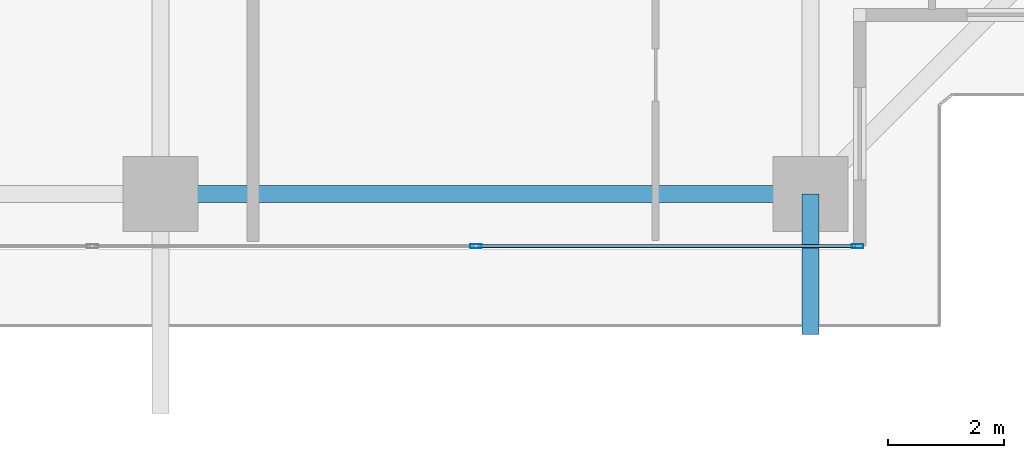
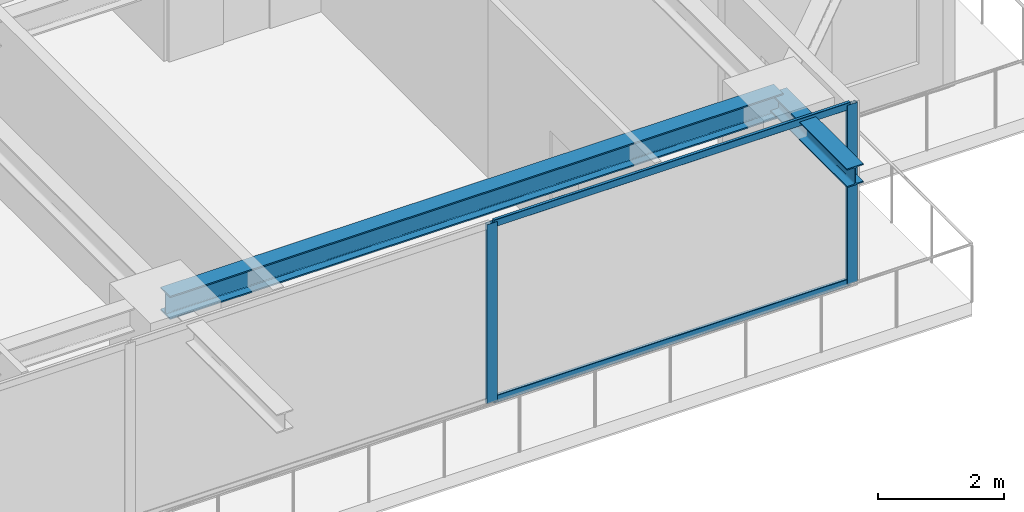
# One storey, part 12 of 38: 4 members, 2 beams, 1 element without a shape of its own.
"""IFC4 building model written with IfcOpenShell, lengths in metres."""

from ifc_helpers import new_model, si_unit, direction, frame, origin, origin_2d, place, context, subcontext, project, spatial, hollow_rectangle, i_section, extrude, source, transform, mapped, material, layer, layer_set, material_profile, profile_set, type_object, element, aggregate, save


model = new_model("IFC4")

# Units and contexts
model_context = context("Model", 3, precision=1e-05, world=origin(), true_north=direction((0.0, 1.0)))
body_context = subcontext(model_context, "Body", "Model", "MODEL_VIEW")
ifc_project = project(units=[si_unit("LENGTHUNIT", "METRE"), si_unit("AREAUNIT", "SQUARE_METRE"), si_unit("VOLUMEUNIT", "CUBIC_METRE"), si_unit("PLANEANGLEUNIT", "RADIAN"), si_unit("MASSUNIT", "GRAM", prefix="KILO")], contexts=[model_context])

# Site, building, storey
site_placement = place(None, origin())
site = spatial("IfcSite", under=ifc_project, at=site_placement, CompositionType="ELEMENT")
building_placement = place(site_placement, origin())
building = spatial("IfcBuilding", under=site, at=building_placement, Name="Serunith Strait Residences", CompositionType="ELEMENT")
storey_placement = place(building_placement, frame((0.0, 0.0, 183.89990234375)))
storey = spatial("IfcBuildingStorey", under=building, at=storey_placement, Name="L46", CompositionType="ELEMENT", Elevation=183.89990234375)

# Beams
ifc_material_1 = material(Name="Steel S355J2", Category="steel")
ifc_material_profile_1 = material_profile(ifc_material_1, i_section(OverallWidth=0.300048828125, OverallDepth=0.449951171875, WebThickness=0.013916015625, FlangeThickness=0.02587890625, FilletRadius=0.027099609375, at=origin_2d()), Name="HEB 450")
ifc_profile_set_1 = profile_set([ifc_material_profile_1], Name="Steel S355J2")
beam_type_1 = type_object("IfcBeamType", Name="BM-HEB450", PredefinedType="BEAM", material=ifc_profile_set_1)
shared_shape_1 = source(origin(), body_context, "Body", "SweptSolid", [
    extrude(i_section(OverallWidth=0.300048828125, OverallDepth=0.449951171875, WebThickness=0.013916015625, FlangeThickness=0.02587890625, FilletRadius=0.027099609375, at=origin_2d()), origin(), (0.0, 0.0, 1.0), 11.25),
])
beam_1_placement = place(storey_placement, frame((36.89990234375, 2.300048828125, 3.26220703125), z_axis=(1.0, 0.0, 0.0), x_axis=(0.0, 1.0, 0.0)))
element("IfcBeam", 1, at=beam_1_placement, inside=storey, type_object=beam_type_1, Name="L46 Perimeter Ring Beam 03", PredefinedType="BEAM", context=body_context, shape_type="MappedRepresentation", body=[
    mapped(shared_shape_1, transform((0.0, 0.0, 0.0), scale=1.0)),
])
ifc_material_profile_2 = material_profile(ifc_material_1, i_section(OverallWidth=0.300048828125, OverallDepth=0.360107421875, WebThickness=0.012451171875, FlangeThickness=0.0224609375, FilletRadius=0.027099609375, at=origin_2d()), Name="HEB 360")
ifc_profile_set_2 = profile_set([ifc_material_profile_2], Name="Steel S355J2")
beam_type_2 = type_object("IfcBeamType", Name="BM-HEB360", PredefinedType="BEAM", material=ifc_profile_set_2)
shared_shape_2 = source(origin(), body_context, "Body", "SweptSolid", [
    extrude(i_section(OverallWidth=0.300048828125, OverallDepth=0.360107421875, WebThickness=0.012451171875, FlangeThickness=0.0224609375, FilletRadius=0.027099609375, at=origin_2d()), origin(), (0.0, 0.0, 1.0), 2.434814453125),
])
beam_2_placement = place(storey_placement, frame((48.14990234375, 2.300048828125, 3.277099609375), z_axis=(0.0, -1.0, 0.0), x_axis=(1.0, 0.0, 0.0)))
element("IfcBeam", 2, at=beam_2_placement, inside=storey, type_object=beam_type_2, Name="L47 Cantilevered Balcony Rib TC-S4", PredefinedType="BEAM", context=body_context, shape_type="MappedRepresentation", body=[
    mapped(shared_shape_2, transform((0.0, 0.0, 0.0), scale=1.0)),
])

# Curtain wall, members
ifc_material_2 = material(Name="Pale-Champagne Anodised Aluminium", Category="aluminium")
ifc_layer = layer(ifc_material_2, 0.199951171875, Name="Pale-Champagne Anodised Aluminium")
ifc_layer_set = layer_set([ifc_layer], Name="Pale-Champagne Anodised Aluminium")
curtain_wall_type = type_object("IfcCurtainWallType", Name="CW-SYS2", PredefinedType="NOTDEFINED", material=ifc_layer_set)
curtain_wall_placement = place(storey_placement, origin())
curtain_wall = element("IfcCurtainWall", 3, at=curtain_wall_placement, inside=storey, type_object=curtain_wall_type, Name="L46 S Unitised Fritted Curtain Wall", PredefinedType="NOTDEFINED")
ifc_material_profile_3 = material_profile(ifc_material_2, hollow_rectangle(XDim=0.070068359375, YDim=0.199951171875, WallThickness=0.00390625, InnerFilletRadius=0.006103515625, OuterFilletRadius=0.010009765625, at=origin_2d()), Name="ALU 200x70x4")
ifc_profile_set_3 = profile_set([ifc_material_profile_3], Name="Pale-Champagne Anodised Aluminium")
member_type_1 = type_object("IfcMemberType", Name="CW-SYS2-MULL", PredefinedType="MULLION", material=ifc_profile_set_3)
shared_shape_3 = source(origin(), body_context, "Body", "SweptSolid", [
    extrude(hollow_rectangle(XDim=0.070068359375, YDim=0.199951171875, WallThickness=0.00390625, InnerFilletRadius=0.006103515625, OuterFilletRadius=0.010009765625, at=origin_2d()), origin(), (0.0, 0.0, 1.0), 3.47509765625),
])
member_1_placement = place(storey_placement, frame((42.360107421875, 1.39990234375, 0.0), z_axis=(0.0, 0.0, 1.0), x_axis=(0.0, 1.0, 0.0)))
member_1 = element("IfcMember", 4, at=member_1_placement, type_object=member_type_1, Name="CW-2 mullion 5", PredefinedType="MULLION", context=body_context, shape_type="MappedRepresentation", body=[
    mapped(shared_shape_3, transform((0.0, 0.0, 0.0), scale=1.0)),
])
member_2_placement = place(storey_placement, frame((48.965087890625, 1.39990234375, 0.0), z_axis=(0.0, 0.0, 1.0), x_axis=(0.0, 1.0, 0.0)))
member_2 = element("IfcMember", 5, at=member_2_placement, type_object=member_type_1, Name="CW-2 mullion 6", PredefinedType="MULLION", context=body_context, shape_type="MappedRepresentation", body=[
    mapped(shared_shape_3, transform((0.0, 0.0, 0.0), scale=1.0)),
])
ifc_material_profile_4 = material_profile(ifc_material_2, hollow_rectangle(XDim=0.06005859375, YDim=0.139892578125, WallThickness=0.00341796875, InnerFilletRadius=0.00537109375, OuterFilletRadius=0.0087890625, at=origin_2d()), Name="ALU 140x60x3.5")
ifc_profile_set_4 = profile_set([ifc_material_profile_4], Name="Pale-Champagne Anodised Aluminium")
member_type_2 = type_object("IfcMemberType", Name="CW-SYS2-TRAN", PredefinedType="USERDEFINED", material=ifc_profile_set_4)
shared_shape_4 = source(origin(), body_context, "Body", "SweptSolid", [
    extrude(hollow_rectangle(XDim=0.06005859375, YDim=0.139892578125, WallThickness=0.00341796875, InnerFilletRadius=0.00537109375, OuterFilletRadius=0.0087890625, at=origin_2d()), origin(), (0.0, 0.0, 1.0), 6.534912109375),
])
member_3_placement = place(storey_placement, frame((42.39501953125, 1.39990234375, 0.030029296875), z_axis=(1.0, 0.0, 0.0), x_axis=(0.0, 1.0, 0.0)))
member_3 = element("IfcMember", 6, at=member_3_placement, type_object=member_type_2, Name="CW-2 transom 5.1", ObjectType="TRANSOM", PredefinedType="USERDEFINED", context=body_context, shape_type="MappedRepresentation", body=[
    mapped(shared_shape_4, transform((0.0, 0.0, 0.0), scale=1.0)),
])
member_4_placement = place(storey_placement, frame((42.39501953125, 1.39990234375, 3.445068359375), z_axis=(1.0, 0.0, 0.0), x_axis=(0.0, 1.0, 0.0)))
member_4 = element("IfcMember", 7, at=member_4_placement, type_object=member_type_2, Name="CW-2 transom 5.2", ObjectType="TRANSOM", PredefinedType="USERDEFINED", context=body_context, shape_type="MappedRepresentation", body=[
    mapped(shared_shape_4, transform((0.0, 0.0, 0.0), scale=1.0)),
])
aggregate(curtain_wall, [member_1, member_2, member_3, member_4])

save(model, "model.ifc")
